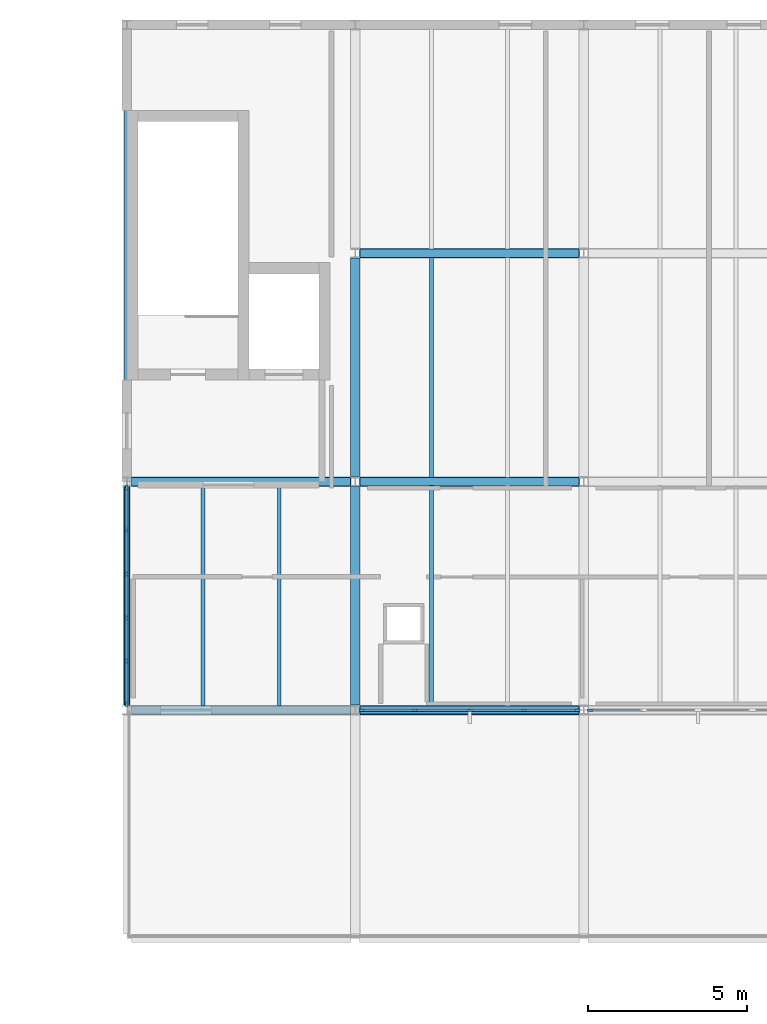
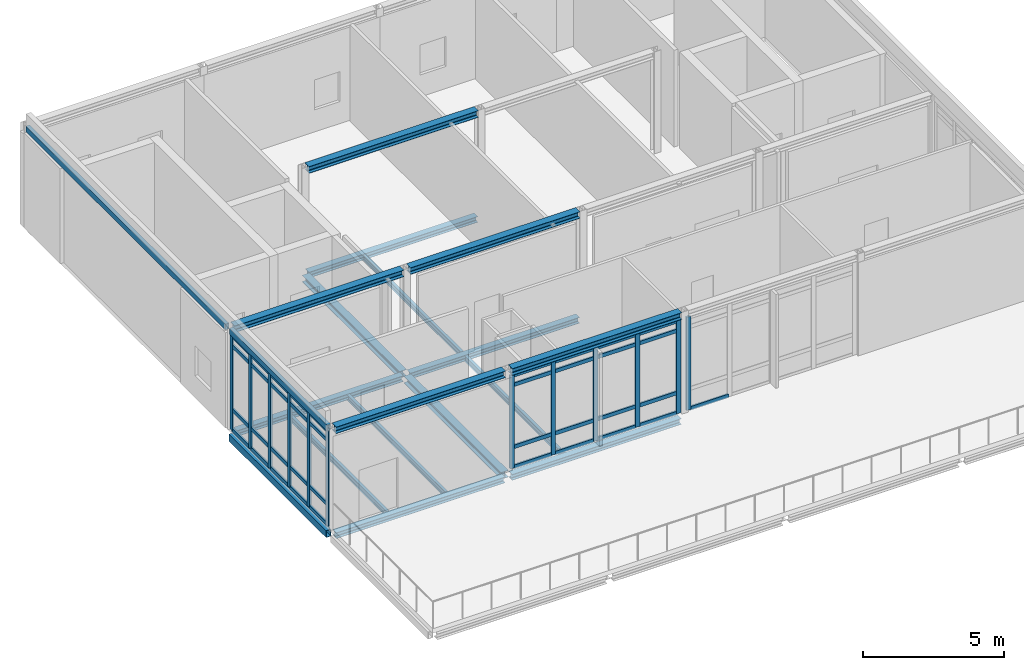
# One storey, part 8 of 21: 49 members, 19 beams, 3 elements without a shape of their own.
"""IFC4 building model written with IfcOpenShell, lengths in metres."""

from ifc_helpers import new_model, si_unit, direction, frame, origin, origin_2d, place, context, subcontext, project, spatial, rectangle, hollow_rectangle, i_section, extrude, material, layer, layer_set, material_profile, profile_set, type_object, element, aggregate, save


model = new_model("IFC4")

# Units and contexts
model_context = context("Model", 3, precision=1e-05, world=origin(), true_north=direction((0.0, 1.0)))
body_context = subcontext(model_context, "Body", "Model", "MODEL_VIEW")
ifc_project = project(units=[si_unit("LENGTHUNIT", "METRE"), si_unit("AREAUNIT", "SQUARE_METRE"), si_unit("VOLUMEUNIT", "CUBIC_METRE"), si_unit("PLANEANGLEUNIT", "RADIAN"), si_unit("MASSUNIT", "GRAM", prefix="KILO")], contexts=[model_context])

# Site, building, storey
site_placement = place(None, origin())
site = spatial("IfcSite", under=ifc_project, at=site_placement, CompositionType="ELEMENT")
building_placement = place(site_placement, origin())
building = spatial("IfcBuilding", under=site, at=building_placement, Name="Zarrinpeak Specialist Clinic", CompositionType="ELEMENT")
storey_placement = place(building_placement, frame((0.0, 0.0, 22.800048828125)))
storey = spatial("IfcBuildingStorey", under=building, at=storey_placement, Name="L05", CompositionType="ELEMENT", Elevation=22.800048828125)

# Beams
ifc_material_1 = material(Name="Steel S355", Category="steel")
ifc_material_profile_1 = material_profile(ifc_material_1, i_section(OverallWidth=0.260009765625, OverallDepth=0.25, WebThickness=0.007568359375, FlangeThickness=0.012451171875, FilletRadius=0.02392578125, at=origin_2d()), Name="HEA 260")
ifc_profile_set_1 = profile_set([ifc_material_profile_1], Name="Steel S355")
beam_type_1 = type_object("IfcBeamType", Name="BM-HEA260", PredefinedType="BEAM", material=ifc_profile_set_1)
for number, where, z_axis, x_axis, name in (
    (1, (36.14794921875, 96.39990234375, -0.320068359375), (1.0, 0.0, 0.0), (0.0, 1.0, 0.0), "L05 Primary Floor Girder BM-L05-X2069"),
    (2, (43.347900390625, 96.39990234375, -0.320068359375), (1.0, 0.0, 0.0), (0.0, 1.0, 0.0), "L05 Primary Floor Girder BM-L05-X2070"),
    (3, (36.14794921875, 103.60009765625, -0.31005859375), (1.0, 0.0, 0.0), (0.0, 1.0, 0.0), "L05 Primary Floor Girder BM-L05-X2073"),
    (4, (43.347900390625, 103.60009765625, -0.31005859375), (1.0, 0.0, 0.0), (0.0, 1.0, 0.0), "L05 Primary Floor Girder BM-L05-X2074"),
    (5, (43.347900390625, 110.800048828125, -0.31005859375), (1.0, 0.0, 0.0), (0.0, 1.0, 0.0), "L05 Primary Floor Girder BM-L05-X2077"),
):
    element("IfcBeam", number, at=place(storey_placement, frame(where, z_axis=z_axis, x_axis=x_axis)), inside=storey, type_object=beam_type_1, Name=name, PredefinedType="BEAM", context=body_context, shape_type="SweptSolid", body=[
        extrude(i_section(OverallWidth=0.260009765625, OverallDepth=0.25, WebThickness=0.007568359375, FlangeThickness=0.012451171875, FilletRadius=0.02392578125, at=origin_2d()), origin(), (0.0, 0.0, 1.0), 6.904052734375),
    ])
ifc_material_profile_2 = material_profile(ifc_material_1, i_section(OverallWidth=0.300048828125, OverallDepth=0.2900390625, WebThickness=0.008544921875, FlangeThickness=0.013916015625, FilletRadius=0.027099609375, at=origin_2d()), Name="HEA 300")
ifc_profile_set_2 = profile_set([ifc_material_profile_2], Name="Steel S355")
beam_type_2 = type_object("IfcBeamType", Name="BM-HEA300", PredefinedType="BEAM", material=ifc_profile_set_2)
beam_1_placement = place(storey_placement, frame((43.199951171875, 96.55810546875, -0.330078125), z_axis=(0.0, 1.0, 0.0), x_axis=(-1.0, 0.0, 0.0)))
element("IfcBeam", 6, at=beam_1_placement, inside=storey, type_object=beam_type_2, Name="L05 Primary Beam BM-L05-Y2115", PredefinedType="BEAM", context=body_context, shape_type="SweptSolid", body=[
    extrude(i_section(OverallWidth=0.300048828125, OverallDepth=0.2900390625, WebThickness=0.008544921875, FlangeThickness=0.013916015625, FilletRadius=0.027099609375, at=origin_2d()), origin(), (0.0, 0.0, 1.0), 6.8837890625),
])
beam_2_placement = place(storey_placement, frame((43.199951171875, 103.758056640625, -0.330078125), z_axis=(0.0, 1.0, 0.0), x_axis=(-1.0, 0.0, 0.0)))
element("IfcBeam", 7, at=beam_2_placement, inside=storey, type_object=beam_type_2, Name="L05 Primary Beam BM-L05-Y2116", PredefinedType="BEAM", context=body_context, shape_type="SweptSolid", body=[
    extrude(i_section(OverallWidth=0.300048828125, OverallDepth=0.2900390625, WebThickness=0.008544921875, FlangeThickness=0.013916015625, FilletRadius=0.027099609375, at=origin_2d()), origin(), (0.0, 0.0, 1.0), 6.884033203125),
])
for number, where, z_axis, x_axis, name in (
    (8, (36.137939453125, 96.39990234375, 4.25), (1.0, 0.0, 0.0), (0.0, 1.0, 0.0), "L05 Gable Eave Tie Girder V6 BM-RF-EAVE-2485"),
    (9, (43.337890625, 96.39990234375, 4.25), (1.0, 0.0, 0.0), (0.0, 1.0, 0.0), "L05 Gable Eave Tie Girder V6 BM-RF-EAVE-2486"),
    (10, (36.137939453125, 103.60009765625, 4.25), (1.0, 0.0, 0.0), (0.0, 1.0, 0.0), "L05 Gable Eave Tie Girder V6 BM-RF-EAVE-2489"),
    (11, (43.337890625, 103.60009765625, 4.25), (1.0, 0.0, 0.0), (0.0, 1.0, 0.0), "L05 Gable Eave Tie Girder V6 BM-RF-EAVE-2490"),
    (12, (43.337890625, 110.800048828125, 4.25), (1.0, 0.0, 0.0), (0.0, 1.0, 0.0), "L05 Gable Eave Tie Girder V6 BM-RF-EAVE-2493"),
):
    element("IfcBeam", number, at=place(storey_placement, frame(where, z_axis=z_axis, x_axis=x_axis)), inside=storey, type_object=beam_type_2, Name=name, PredefinedType="BEAM", context=body_context, shape_type="SweptSolid", body=[
        extrude(i_section(OverallWidth=0.300048828125, OverallDepth=0.2900390625, WebThickness=0.008544921875, FlangeThickness=0.013916015625, FilletRadius=0.027099609375, at=origin_2d()), origin(), (0.0, 0.0, 1.0), 6.924072265625),
    ])
ifc_material_profile_3 = material_profile(ifc_material_1, i_section(OverallWidth=0.1201171875, OverallDepth=0.239990234375, WebThickness=0.006103515625, FlangeThickness=0.009765625, FilletRadius=0.014892578125, at=origin_2d()), Name="IPE 240")
ifc_profile_set_3 = profile_set([ifc_material_profile_3], Name="Steel S355")
beam_type_3 = type_object("IfcBeamType", Name="BM-JST240", PredefinedType="JOIST", material=ifc_profile_set_3)
for number, where, z_axis, x_axis, name in (
    (13, (38.39990234375, 96.528076171875, -0.304931640625), (0.0, 1.0, 0.0), (-1.0, 0.0, 0.0), "L05 Composite Floor Joist JST-L05-2164"),
    (14, (40.800048828125, 96.528076171875, -0.304931640625), (0.0, 1.0, 0.0), (-1.0, 0.0, 0.0), "L05 Composite Floor Joist JST-L05-2165"),
    (15, (45.60009765625, 96.528076171875, -0.304931640625), (0.0, 1.0, 0.0), (-1.0, 0.0, 0.0), "L05 Composite Floor Joist JST-L05-2166"),
):
    element("IfcBeam", number, at=place(storey_placement, frame(where, z_axis=z_axis, x_axis=x_axis)), inside=storey, type_object=beam_type_3, Name=name, PredefinedType="JOIST", context=body_context, shape_type="SweptSolid", body=[
        extrude(i_section(OverallWidth=0.1201171875, OverallDepth=0.239990234375, WebThickness=0.006103515625, FlangeThickness=0.009765625, FilletRadius=0.014892578125, at=origin_2d()), origin(), (0.0, 0.0, 1.0), 6.94384765625),
    ])
beam_3_placement = place(storey_placement, frame((45.60009765625, 103.72802734375, -0.304931640625), z_axis=(0.0, 1.0, 0.0), x_axis=(-1.0, 0.0, 0.0)))
element("IfcBeam", 16, at=beam_3_placement, inside=storey, type_object=beam_type_3, Name="L05 Composite Floor Joist JST-L05-2168", PredefinedType="JOIST", context=body_context, shape_type="SweptSolid", body=[
    extrude(i_section(OverallWidth=0.1201171875, OverallDepth=0.239990234375, WebThickness=0.006103515625, FlangeThickness=0.009765625, FilletRadius=0.014892578125, at=origin_2d()), origin(), (0.0, 0.0, 1.0), 6.944091796875),
])
ifc_material_profile_4 = material_profile(ifc_material_1, hollow_rectangle(XDim=0.14990234375, YDim=0.25, WallThickness=0.010009765625, at=origin_2d()), Name="RHS 250x150x10.0")
ifc_profile_set_4 = profile_set([ifc_material_profile_4], Name="Steel S355")
beam_type_4 = type_object("IfcBeamType", Name="BM-SP250", PredefinedType="SPANDREL", material=ifc_profile_set_4)
beam_4_placement = place(storey_placement, frame((36.0, 96.5380859375, 4.25), z_axis=(0.0, 1.0, 0.0), x_axis=(-1.0, 0.0, 0.0)))
element("IfcBeam", 17, at=beam_4_placement, inside=storey, type_object=beam_type_4, Name="L05 Gable Eave Spandrel Beam V6 BM-RF-SP-2499", PredefinedType="SPANDREL", context=body_context, shape_type="SweptSolid", body=[
    extrude(hollow_rectangle(XDim=0.14990234375, YDim=0.25, WallThickness=0.010009765625, at=origin_2d()), origin(), (0.0, 0.0, 1.0), 6.923828125),
])
beam_5_placement = place(storey_placement, frame((36.0, 103.738037109375, 4.25), z_axis=(0.0, 1.0, 0.0), x_axis=(-1.0, 0.0, 0.0)))
element("IfcBeam", 18, at=beam_5_placement, inside=storey, type_object=beam_type_4, Name="L05 Gable Eave Spandrel Beam V6 BM-RF-SP-2500", PredefinedType="SPANDREL", context=body_context, shape_type="SweptSolid", body=[
    extrude(hollow_rectangle(XDim=0.14990234375, YDim=0.25, WallThickness=0.010009765625, at=origin_2d()), origin(), (0.0, 0.0, 1.0), 14.1240234375),
])
ifc_material_profile_5 = material_profile(ifc_material_1, hollow_rectangle(XDim=0.199951171875, YDim=0.300048828125, WallThickness=0.012451171875, at=origin_2d()), Name="RHS 300x200x12.5")
ifc_profile_set_5 = profile_set([ifc_material_profile_5], Name="Steel S355")
beam_type_5 = type_object("IfcBeamType", Name="BM-SP300", PredefinedType="SPANDREL", material=ifc_profile_set_5)
beam_6_placement = place(storey_placement, frame((36.0, 96.55810546875, -0.3349609375), z_axis=(0.0, 1.0, 0.0), x_axis=(-1.0, 0.0, 0.0)))
element("IfcBeam", 19, at=beam_6_placement, inside=storey, type_object=beam_type_5, Name="L05 Perimeter Spandrel Beam BM-L05-Y2113", PredefinedType="SPANDREL", context=body_context, shape_type="SweptSolid", body=[
    extrude(hollow_rectangle(XDim=0.199951171875, YDim=0.300048828125, WallThickness=0.012451171875, at=origin_2d()), origin(), (0.0, 0.0, 1.0), 6.8837890625),
])

# Curtain wall, members
ifc_material_2 = material(Name="Anodised Aluminium Alloy 6063-T6", Category="aluminium")
ifc_layer_1 = layer(ifc_material_2, 0.179931640625)
ifc_layer_set_1 = layer_set([ifc_layer_1], Name="Anodised Aluminium Alloy 6063-T6")
curtain_wall_type_1 = type_object("IfcCurtainWallType", Name="CW-COURT", PredefinedType="NOTDEFINED", material=ifc_layer_set_1)
curtain_wall_1_placement = place(storey_placement, origin())
curtain_wall_1 = element("IfcCurtainWall", 20, at=curtain_wall_1_placement, inside=storey, type_object=curtain_wall_type_1, Name="L05 V6 Unitised Curtain Wall CW-L05-V6-159", PredefinedType="NOTDEFINED")
ifc_material_profile_6 = material_profile(ifc_material_2, rectangle(XDim=0.074951171875, YDim=0.179931640625, at=origin_2d()), Name="ALU 75x180")
ifc_profile_set_6 = profile_set([ifc_material_profile_6], Name="Anodised Aluminium Alloy 6063-T6")
member_type_1 = type_object("IfcMemberType", Name="CWM-75", PredefinedType="MULLION", material=ifc_profile_set_6)
member_1_placement = place(storey_placement, frame((43.402587890625, 96.39990234375, 0.0), z_axis=(0.0, 0.0, 1.0), x_axis=(0.0, 1.0, 0.0)))
member_1 = element("IfcMember", 21, at=member_1_placement, type_object=member_type_1, Name="CW-01 mullion 1", PredefinedType="MULLION", context=body_context, shape_type="SweptSolid", body=[
    extrude(rectangle(XDim=0.074951171875, YDim=0.179931640625, at=origin_2d()), origin(), (0.0, 0.0, 1.0), 4.034912109375),
])
member_2_placement = place(storey_placement, frame((45.08251953125, 96.39990234375, 0.0), z_axis=(0.0, 0.0, 1.0), x_axis=(0.0, 1.0, 0.0)))
member_2 = element("IfcMember", 22, at=member_2_placement, type_object=member_type_1, Name="CW-01 mullion 2", PredefinedType="MULLION", context=body_context, shape_type="SweptSolid", body=[
    extrude(rectangle(XDim=0.074951171875, YDim=0.179931640625, at=origin_2d()), origin(), (0.0, 0.0, 1.0), 4.034912109375),
])
member_3_placement = place(storey_placement, frame((46.800048828125, 96.39990234375, 0.0), z_axis=(0.0, 0.0, 1.0), x_axis=(0.0, 1.0, 0.0)))
member_3 = element("IfcMember", 23, at=member_3_placement, type_object=member_type_1, Name="CW-01 mullion 3", PredefinedType="MULLION", context=body_context, shape_type="SweptSolid", body=[
    extrude(rectangle(XDim=0.074951171875, YDim=0.179931640625, at=origin_2d()), origin(), (0.0, 0.0, 1.0), 4.034912109375),
])
member_4_placement = place(storey_placement, frame((48.517578125, 96.39990234375, 0.0), z_axis=(0.0, 0.0, 1.0), x_axis=(0.0, 1.0, 0.0)))
member_4 = element("IfcMember", 24, at=member_4_placement, type_object=member_type_1, Name="CW-01 mullion 4", PredefinedType="MULLION", context=body_context, shape_type="SweptSolid", body=[
    extrude(rectangle(XDim=0.074951171875, YDim=0.179931640625, at=origin_2d()), origin(), (0.0, 0.0, 1.0), 4.034912109375),
])
member_5_placement = place(storey_placement, frame((50.197509765625, 96.39990234375, 0.0), z_axis=(0.0, 0.0, 1.0), x_axis=(0.0, 1.0, 0.0)))
member_5 = element("IfcMember", 25, at=member_5_placement, type_object=member_type_1, Name="CW-01 mullion 5", PredefinedType="MULLION", context=body_context, shape_type="SweptSolid", body=[
    extrude(rectangle(XDim=0.074951171875, YDim=0.179931640625, at=origin_2d()), origin(), (0.0, 0.0, 1.0), 4.034912109375),
])

# Curtain wall, member
curtain_wall_2_placement = place(storey_placement, origin())
curtain_wall_2 = element("IfcCurtainWall", 26, at=curtain_wall_2_placement, inside=storey, type_object=curtain_wall_type_1, Name="L05 V6 Unitised Curtain Wall CW-L05-V6-160", PredefinedType="NOTDEFINED")
member_6_placement = place(storey_placement, frame((50.6025390625, 96.39990234375, 0.0), z_axis=(0.0, 0.0, 1.0), x_axis=(0.0, 1.0, 0.0)))
member_6 = element("IfcMember", 27, at=member_6_placement, type_object=member_type_1, Name="CW-01 mullion 1", PredefinedType="MULLION", context=body_context, shape_type="SweptSolid", body=[
    extrude(rectangle(XDim=0.074951171875, YDim=0.179931640625, at=origin_2d()), origin(), (0.0, 0.0, 1.0), 4.034912109375),
])

# Curtain wall, members
ifc_layer_2 = layer(ifc_material_2, 0.1650390625)
ifc_layer_set_2 = layer_set([ifc_layer_2], Name="Anodised Aluminium Alloy 6063-T6")
curtain_wall_type_2 = type_object("IfcCurtainWallType", Name="CW-CLINIC", PredefinedType="NOTDEFINED", material=ifc_layer_set_2)
curtain_wall_3_placement = place(storey_placement, origin())
curtain_wall_3 = element("IfcCurtainWall", 28, at=curtain_wall_3_placement, inside=storey, type_object=curtain_wall_type_2, Name="L05 V6 Unitised Curtain Wall CW-L05-V6-161", PredefinedType="NOTDEFINED")
member_7_placement = place(storey_placement, frame((36.0, 103.3974609375, 0.0), z_axis=(0.0, 0.0, 1.0), x_axis=(1.0, 0.0, 0.0)))
member_7 = element("IfcMember", 29, at=member_7_placement, type_object=member_type_1, Name="CW-03 mullion 1", PredefinedType="MULLION", context=body_context, shape_type="SweptSolid", body=[
    extrude(rectangle(XDim=0.074951171875, YDim=0.179931640625, at=origin_2d()), origin(), (0.0, 0.0, 1.0), 4.10986328125),
])
member_8_placement = place(storey_placement, frame((36.0, 102.06103515625, 0.0), z_axis=(0.0, 0.0, 1.0), x_axis=(1.0, 0.0, 0.0)))
member_8 = element("IfcMember", 30, at=member_8_placement, type_object=member_type_1, Name="CW-03 mullion 2", PredefinedType="MULLION", context=body_context, shape_type="SweptSolid", body=[
    extrude(rectangle(XDim=0.074951171875, YDim=0.179931640625, at=origin_2d()), origin(), (0.0, 0.0, 1.0), 4.10986328125),
])
member_9_placement = place(storey_placement, frame((36.0, 100.68701171875, 0.0), z_axis=(0.0, 0.0, 1.0), x_axis=(1.0, 0.0, 0.0)))
member_9 = element("IfcMember", 31, at=member_9_placement, type_object=member_type_1, Name="CW-03 mullion 3", PredefinedType="MULLION", context=body_context, shape_type="SweptSolid", body=[
    extrude(rectangle(XDim=0.074951171875, YDim=0.179931640625, at=origin_2d()), origin(), (0.0, 0.0, 1.0), 4.10986328125),
])
member_10_placement = place(storey_placement, frame((36.0, 99.31298828125, 0.0), z_axis=(0.0, 0.0, 1.0), x_axis=(1.0, 0.0, 0.0)))
member_10 = element("IfcMember", 32, at=member_10_placement, type_object=member_type_1, Name="CW-03 mullion 4", PredefinedType="MULLION", context=body_context, shape_type="SweptSolid", body=[
    extrude(rectangle(XDim=0.074951171875, YDim=0.179931640625, at=origin_2d()), origin(), (0.0, 0.0, 1.0), 4.10986328125),
])
member_11_placement = place(storey_placement, frame((36.0, 97.93896484375, 0.0), z_axis=(0.0, 0.0, 1.0), x_axis=(1.0, 0.0, 0.0)))
member_11 = element("IfcMember", 33, at=member_11_placement, type_object=member_type_1, Name="CW-03 mullion 5", PredefinedType="MULLION", context=body_context, shape_type="SweptSolid", body=[
    extrude(rectangle(XDim=0.074951171875, YDim=0.179931640625, at=origin_2d()), origin(), (0.0, 0.0, 1.0), 4.10986328125),
])
member_12_placement = place(storey_placement, frame((36.0, 96.6025390625, 0.0), z_axis=(0.0, 0.0, 1.0), x_axis=(1.0, 0.0, 0.0)))
member_12 = element("IfcMember", 34, at=member_12_placement, type_object=member_type_1, Name="CW-03 mullion 6", PredefinedType="MULLION", context=body_context, shape_type="SweptSolid", body=[
    extrude(rectangle(XDim=0.074951171875, YDim=0.179931640625, at=origin_2d()), origin(), (0.0, 0.0, 1.0), 4.10986328125),
])

# Member
ifc_material_profile_7 = material_profile(ifc_material_2, rectangle(XDim=0.074951171875, YDim=0.159912109375, at=origin_2d()), Name="ALU 75x160")
ifc_profile_set_7 = profile_set([ifc_material_profile_7], Name="Anodised Aluminium Alloy 6063-T6")
member_type_2 = type_object("IfcMemberType", Name="CWT-75", PredefinedType="USERDEFINED", material=ifc_profile_set_7)
member_13_placement = place(storey_placement, frame((43.43994140625, 96.39990234375, 0.037353515625), z_axis=(1.0, 0.0, 0.0), x_axis=(0.0, 1.0, 0.0)))
member_13 = element("IfcMember", 35, at=member_13_placement, type_object=member_type_2, Name="CW-01 transom 1.1", ObjectType="TRANSOM", PredefinedType="USERDEFINED", context=body_context, shape_type="SweptSolid", body=[
    extrude(rectangle(XDim=0.074951171875, YDim=0.159912109375, at=origin_2d()), origin(), (0.0, 0.0, 1.0), 1.60498046875),
])

member_14_placement = place(storey_placement, frame((43.43994140625, 96.39990234375, 0.89990234375), z_axis=(1.0, 0.0, 0.0), x_axis=(0.0, 1.0, 0.0)))
member_14 = element("IfcMember", 36, at=member_14_placement, type_object=member_type_2, Name="CW-01 transom 1.2", ObjectType="TRANSOM", PredefinedType="USERDEFINED", context=body_context, shape_type="SweptSolid", body=[
    extrude(rectangle(XDim=0.074951171875, YDim=0.159912109375, at=origin_2d()), origin(), (0.0, 0.0, 1.0), 1.60498046875),
])

member_15_placement = place(storey_placement, frame((43.43994140625, 96.39990234375, 3.5849609375), z_axis=(1.0, 0.0, 0.0), x_axis=(0.0, 1.0, 0.0)))
member_15 = element("IfcMember", 37, at=member_15_placement, type_object=member_type_2, Name="CW-01 transom 1.3", ObjectType="TRANSOM", PredefinedType="USERDEFINED", context=body_context, shape_type="SweptSolid", body=[
    extrude(rectangle(XDim=0.074951171875, YDim=0.159912109375, at=origin_2d()), origin(), (0.0, 0.0, 1.0), 1.60498046875),
])

member_16_placement = place(storey_placement, frame((43.43994140625, 96.39990234375, 3.99755859375), z_axis=(1.0, 0.0, 0.0), x_axis=(0.0, 1.0, 0.0)))
member_16 = element("IfcMember", 38, at=member_16_placement, type_object=member_type_2, Name="CW-01 transom 1.4", ObjectType="TRANSOM", PredefinedType="USERDEFINED", context=body_context, shape_type="SweptSolid", body=[
    extrude(rectangle(XDim=0.074951171875, YDim=0.159912109375, at=origin_2d()), origin(), (0.0, 0.0, 1.0), 1.60498046875),
])

member_17_placement = place(storey_placement, frame((45.1201171875, 96.39990234375, 0.037353515625), z_axis=(1.0, 0.0, 0.0), x_axis=(0.0, 1.0, 0.0)))
member_17 = element("IfcMember", 39, at=member_17_placement, type_object=member_type_2, Name="CW-01 transom 2.1", ObjectType="TRANSOM", PredefinedType="USERDEFINED", context=body_context, shape_type="SweptSolid", body=[
    extrude(rectangle(XDim=0.074951171875, YDim=0.159912109375, at=origin_2d()), origin(), (0.0, 0.0, 1.0), 1.642333984375),
])

member_18_placement = place(storey_placement, frame((45.1201171875, 96.39990234375, 0.89990234375), z_axis=(1.0, 0.0, 0.0), x_axis=(0.0, 1.0, 0.0)))
member_18 = element("IfcMember", 40, at=member_18_placement, type_object=member_type_2, Name="CW-01 transom 2.2", ObjectType="TRANSOM", PredefinedType="USERDEFINED", context=body_context, shape_type="SweptSolid", body=[
    extrude(rectangle(XDim=0.074951171875, YDim=0.159912109375, at=origin_2d()), origin(), (0.0, 0.0, 1.0), 1.642333984375),
])

member_19_placement = place(storey_placement, frame((45.1201171875, 96.39990234375, 3.5849609375), z_axis=(1.0, 0.0, 0.0), x_axis=(0.0, 1.0, 0.0)))
member_19 = element("IfcMember", 41, at=member_19_placement, type_object=member_type_2, Name="CW-01 transom 2.3", ObjectType="TRANSOM", PredefinedType="USERDEFINED", context=body_context, shape_type="SweptSolid", body=[
    extrude(rectangle(XDim=0.074951171875, YDim=0.159912109375, at=origin_2d()), origin(), (0.0, 0.0, 1.0), 1.642333984375),
])

member_20_placement = place(storey_placement, frame((45.1201171875, 96.39990234375, 3.99755859375), z_axis=(1.0, 0.0, 0.0), x_axis=(0.0, 1.0, 0.0)))
member_20 = element("IfcMember", 42, at=member_20_placement, type_object=member_type_2, Name="CW-01 transom 2.4", ObjectType="TRANSOM", PredefinedType="USERDEFINED", context=body_context, shape_type="SweptSolid", body=[
    extrude(rectangle(XDim=0.074951171875, YDim=0.159912109375, at=origin_2d()), origin(), (0.0, 0.0, 1.0), 1.642333984375),
])

member_21_placement = place(storey_placement, frame((46.83740234375, 96.39990234375, 0.037353515625), z_axis=(1.0, 0.0, 0.0), x_axis=(0.0, 1.0, 0.0)))
member_21 = element("IfcMember", 43, at=member_21_placement, type_object=member_type_2, Name="CW-01 transom 3.1", ObjectType="TRANSOM", PredefinedType="USERDEFINED", context=body_context, shape_type="SweptSolid", body=[
    extrude(rectangle(XDim=0.074951171875, YDim=0.159912109375, at=origin_2d()), origin(), (0.0, 0.0, 1.0), 1.642578125),
])

member_22_placement = place(storey_placement, frame((46.83740234375, 96.39990234375, 0.89990234375), z_axis=(1.0, 0.0, 0.0), x_axis=(0.0, 1.0, 0.0)))
member_22 = element("IfcMember", 44, at=member_22_placement, type_object=member_type_2, Name="CW-01 transom 3.2", ObjectType="TRANSOM", PredefinedType="USERDEFINED", context=body_context, shape_type="SweptSolid", body=[
    extrude(rectangle(XDim=0.074951171875, YDim=0.159912109375, at=origin_2d()), origin(), (0.0, 0.0, 1.0), 1.642578125),
])

member_23_placement = place(storey_placement, frame((46.83740234375, 96.39990234375, 3.5849609375), z_axis=(1.0, 0.0, 0.0), x_axis=(0.0, 1.0, 0.0)))
member_23 = element("IfcMember", 45, at=member_23_placement, type_object=member_type_2, Name="CW-01 transom 3.3", ObjectType="TRANSOM", PredefinedType="USERDEFINED", context=body_context, shape_type="SweptSolid", body=[
    extrude(rectangle(XDim=0.074951171875, YDim=0.159912109375, at=origin_2d()), origin(), (0.0, 0.0, 1.0), 1.642578125),
])

member_24_placement = place(storey_placement, frame((46.83740234375, 96.39990234375, 3.99755859375), z_axis=(1.0, 0.0, 0.0), x_axis=(0.0, 1.0, 0.0)))
member_24 = element("IfcMember", 46, at=member_24_placement, type_object=member_type_2, Name="CW-01 transom 3.4", ObjectType="TRANSOM", PredefinedType="USERDEFINED", context=body_context, shape_type="SweptSolid", body=[
    extrude(rectangle(XDim=0.074951171875, YDim=0.159912109375, at=origin_2d()), origin(), (0.0, 0.0, 1.0), 1.642578125),
])

member_25_placement = place(storey_placement, frame((48.554931640625, 96.39990234375, 0.037353515625), z_axis=(1.0, 0.0, 0.0), x_axis=(0.0, 1.0, 0.0)))
member_25 = element("IfcMember", 47, at=member_25_placement, type_object=member_type_2, Name="CW-01 transom 4.1", ObjectType="TRANSOM", PredefinedType="USERDEFINED", context=body_context, shape_type="SweptSolid", body=[
    extrude(rectangle(XDim=0.074951171875, YDim=0.159912109375, at=origin_2d()), origin(), (0.0, 0.0, 1.0), 1.60498046875),
])

member_26_placement = place(storey_placement, frame((48.554931640625, 96.39990234375, 0.89990234375), z_axis=(1.0, 0.0, 0.0), x_axis=(0.0, 1.0, 0.0)))
member_26 = element("IfcMember", 48, at=member_26_placement, type_object=member_type_2, Name="CW-01 transom 4.2", ObjectType="TRANSOM", PredefinedType="USERDEFINED", context=body_context, shape_type="SweptSolid", body=[
    extrude(rectangle(XDim=0.074951171875, YDim=0.159912109375, at=origin_2d()), origin(), (0.0, 0.0, 1.0), 1.60498046875),
])

member_27_placement = place(storey_placement, frame((48.554931640625, 96.39990234375, 3.5849609375), z_axis=(1.0, 0.0, 0.0), x_axis=(0.0, 1.0, 0.0)))
member_27 = element("IfcMember", 49, at=member_27_placement, type_object=member_type_2, Name="CW-01 transom 4.3", ObjectType="TRANSOM", PredefinedType="USERDEFINED", context=body_context, shape_type="SweptSolid", body=[
    extrude(rectangle(XDim=0.074951171875, YDim=0.159912109375, at=origin_2d()), origin(), (0.0, 0.0, 1.0), 1.60498046875),
])

member_28_placement = place(storey_placement, frame((48.554931640625, 96.39990234375, 3.99755859375), z_axis=(1.0, 0.0, 0.0), x_axis=(0.0, 1.0, 0.0)))
member_28 = element("IfcMember", 50, at=member_28_placement, type_object=member_type_2, Name="CW-01 transom 4.4", ObjectType="TRANSOM", PredefinedType="USERDEFINED", context=body_context, shape_type="SweptSolid", body=[
    extrude(rectangle(XDim=0.074951171875, YDim=0.159912109375, at=origin_2d()), origin(), (0.0, 0.0, 1.0), 1.60498046875),
])

aggregate(curtain_wall_1, [member_1, member_2, member_3, member_4, member_5, member_13, member_14, member_15, member_16, member_17, member_18, member_19, member_20, member_21, member_22, member_23, member_24, member_25, member_26, member_27, member_28])

member_29_placement = place(storey_placement, frame((50.639892578125, 96.39990234375, 0.037353515625), z_axis=(1.0, 0.0, 0.0), x_axis=(0.0, 1.0, 0.0)))
member_29 = element("IfcMember", 51, at=member_29_placement, type_object=member_type_2, Name="CW-01 transom 1.1", ObjectType="TRANSOM", PredefinedType="USERDEFINED", context=body_context, shape_type="SweptSolid", body=[
    extrude(rectangle(XDim=0.074951171875, YDim=0.159912109375, at=origin_2d()), origin(), (0.0, 0.0, 1.0), 1.605224609375),
])

aggregate(curtain_wall_2, [member_6, member_29])

member_30_placement = place(storey_placement, frame((36.0, 103.360107421875, 0.037353515625), z_axis=(0.0, -1.0, 0.0), x_axis=(1.0, 0.0, 0.0)))
member_30 = element("IfcMember", 52, at=member_30_placement, type_object=member_type_2, Name="CW-03 transom 1.1", ObjectType="TRANSOM", PredefinedType="USERDEFINED", context=body_context, shape_type="SweptSolid", body=[
    extrude(rectangle(XDim=0.074951171875, YDim=0.159912109375, at=origin_2d()), origin(), (0.0, 0.0, 1.0), 1.26171875),
])

member_31_placement = place(storey_placement, frame((36.0, 103.360107421875, 0.89990234375), z_axis=(0.0, -1.0, 0.0), x_axis=(1.0, 0.0, 0.0)))
member_31 = element("IfcMember", 53, at=member_31_placement, type_object=member_type_2, Name="CW-03 transom 1.2", ObjectType="TRANSOM", PredefinedType="USERDEFINED", context=body_context, shape_type="SweptSolid", body=[
    extrude(rectangle(XDim=0.074951171875, YDim=0.159912109375, at=origin_2d()), origin(), (0.0, 0.0, 1.0), 1.26171875),
])

member_32_placement = place(storey_placement, frame((36.0, 103.360107421875, 3.659912109375), z_axis=(0.0, -1.0, 0.0), x_axis=(1.0, 0.0, 0.0)))
member_32 = element("IfcMember", 54, at=member_32_placement, type_object=member_type_2, Name="CW-03 transom 1.3", ObjectType="TRANSOM", PredefinedType="USERDEFINED", context=body_context, shape_type="SweptSolid", body=[
    extrude(rectangle(XDim=0.074951171875, YDim=0.159912109375, at=origin_2d()), origin(), (0.0, 0.0, 1.0), 1.26171875),
])

member_33_placement = place(storey_placement, frame((36.0, 103.360107421875, 4.072509765625), z_axis=(0.0, -1.0, 0.0), x_axis=(1.0, 0.0, 0.0)))
member_33 = element("IfcMember", 55, at=member_33_placement, type_object=member_type_2, Name="CW-03 transom 1.4", ObjectType="TRANSOM", PredefinedType="USERDEFINED", context=body_context, shape_type="SweptSolid", body=[
    extrude(rectangle(XDim=0.074951171875, YDim=0.159912109375, at=origin_2d()), origin(), (0.0, 0.0, 1.0), 1.26171875),
])

member_34_placement = place(storey_placement, frame((36.0, 102.0234375, 0.037353515625), z_axis=(0.0, -1.0, 0.0), x_axis=(1.0, 0.0, 0.0)))
member_34 = element("IfcMember", 56, at=member_34_placement, type_object=member_type_2, Name="CW-03 transom 2.1", ObjectType="TRANSOM", PredefinedType="USERDEFINED", context=body_context, shape_type="SweptSolid", body=[
    extrude(rectangle(XDim=0.074951171875, YDim=0.159912109375, at=origin_2d()), origin(), (0.0, 0.0, 1.0), 1.298828125),
])

member_35_placement = place(storey_placement, frame((36.0, 102.0234375, 0.89990234375), z_axis=(0.0, -1.0, 0.0), x_axis=(1.0, 0.0, 0.0)))
member_35 = element("IfcMember", 57, at=member_35_placement, type_object=member_type_2, Name="CW-03 transom 2.2", ObjectType="TRANSOM", PredefinedType="USERDEFINED", context=body_context, shape_type="SweptSolid", body=[
    extrude(rectangle(XDim=0.074951171875, YDim=0.159912109375, at=origin_2d()), origin(), (0.0, 0.0, 1.0), 1.298828125),
])

member_36_placement = place(storey_placement, frame((36.0, 102.0234375, 3.659912109375), z_axis=(0.0, -1.0, 0.0), x_axis=(1.0, 0.0, 0.0)))
member_36 = element("IfcMember", 58, at=member_36_placement, type_object=member_type_2, Name="CW-03 transom 2.3", ObjectType="TRANSOM", PredefinedType="USERDEFINED", context=body_context, shape_type="SweptSolid", body=[
    extrude(rectangle(XDim=0.074951171875, YDim=0.159912109375, at=origin_2d()), origin(), (0.0, 0.0, 1.0), 1.298828125),
])

member_37_placement = place(storey_placement, frame((36.0, 102.0234375, 4.072509765625), z_axis=(0.0, -1.0, 0.0), x_axis=(1.0, 0.0, 0.0)))
member_37 = element("IfcMember", 59, at=member_37_placement, type_object=member_type_2, Name="CW-03 transom 2.4", ObjectType="TRANSOM", PredefinedType="USERDEFINED", context=body_context, shape_type="SweptSolid", body=[
    extrude(rectangle(XDim=0.074951171875, YDim=0.159912109375, at=origin_2d()), origin(), (0.0, 0.0, 1.0), 1.298828125),
])

member_38_placement = place(storey_placement, frame((36.0, 100.6494140625, 0.037353515625), z_axis=(0.0, -1.0, 0.0), x_axis=(1.0, 0.0, 0.0)))
member_38 = element("IfcMember", 60, at=member_38_placement, type_object=member_type_2, Name="CW-03 transom 3.1", ObjectType="TRANSOM", PredefinedType="USERDEFINED", context=body_context, shape_type="SweptSolid", body=[
    extrude(rectangle(XDim=0.074951171875, YDim=0.159912109375, at=origin_2d()), origin(), (0.0, 0.0, 1.0), 1.298828125),
])

member_39_placement = place(storey_placement, frame((36.0, 100.6494140625, 0.89990234375), z_axis=(0.0, -1.0, 0.0), x_axis=(1.0, 0.0, 0.0)))
member_39 = element("IfcMember", 61, at=member_39_placement, type_object=member_type_2, Name="CW-03 transom 3.2", ObjectType="TRANSOM", PredefinedType="USERDEFINED", context=body_context, shape_type="SweptSolid", body=[
    extrude(rectangle(XDim=0.074951171875, YDim=0.159912109375, at=origin_2d()), origin(), (0.0, 0.0, 1.0), 1.298828125),
])

member_40_placement = place(storey_placement, frame((36.0, 100.6494140625, 3.659912109375), z_axis=(0.0, -1.0, 0.0), x_axis=(1.0, 0.0, 0.0)))
member_40 = element("IfcMember", 62, at=member_40_placement, type_object=member_type_2, Name="CW-03 transom 3.3", ObjectType="TRANSOM", PredefinedType="USERDEFINED", context=body_context, shape_type="SweptSolid", body=[
    extrude(rectangle(XDim=0.074951171875, YDim=0.159912109375, at=origin_2d()), origin(), (0.0, 0.0, 1.0), 1.298828125),
])

member_41_placement = place(storey_placement, frame((36.0, 100.6494140625, 4.072509765625), z_axis=(0.0, -1.0, 0.0), x_axis=(1.0, 0.0, 0.0)))
member_41 = element("IfcMember", 63, at=member_41_placement, type_object=member_type_2, Name="CW-03 transom 3.4", ObjectType="TRANSOM", PredefinedType="USERDEFINED", context=body_context, shape_type="SweptSolid", body=[
    extrude(rectangle(XDim=0.074951171875, YDim=0.159912109375, at=origin_2d()), origin(), (0.0, 0.0, 1.0), 1.298828125),
])

member_42_placement = place(storey_placement, frame((36.0, 99.275390625, 0.037353515625), z_axis=(0.0, -1.0, 0.0), x_axis=(1.0, 0.0, 0.0)))
member_42 = element("IfcMember", 64, at=member_42_placement, type_object=member_type_2, Name="CW-03 transom 4.1", ObjectType="TRANSOM", PredefinedType="USERDEFINED", context=body_context, shape_type="SweptSolid", body=[
    extrude(rectangle(XDim=0.074951171875, YDim=0.159912109375, at=origin_2d()), origin(), (0.0, 0.0, 1.0), 1.298828125),
])

member_43_placement = place(storey_placement, frame((36.0, 99.275390625, 0.89990234375), z_axis=(0.0, -1.0, 0.0), x_axis=(1.0, 0.0, 0.0)))
member_43 = element("IfcMember", 65, at=member_43_placement, type_object=member_type_2, Name="CW-03 transom 4.2", ObjectType="TRANSOM", PredefinedType="USERDEFINED", context=body_context, shape_type="SweptSolid", body=[
    extrude(rectangle(XDim=0.074951171875, YDim=0.159912109375, at=origin_2d()), origin(), (0.0, 0.0, 1.0), 1.298828125),
])

member_44_placement = place(storey_placement, frame((36.0, 99.275390625, 3.659912109375), z_axis=(0.0, -1.0, 0.0), x_axis=(1.0, 0.0, 0.0)))
member_44 = element("IfcMember", 66, at=member_44_placement, type_object=member_type_2, Name="CW-03 transom 4.3", ObjectType="TRANSOM", PredefinedType="USERDEFINED", context=body_context, shape_type="SweptSolid", body=[
    extrude(rectangle(XDim=0.074951171875, YDim=0.159912109375, at=origin_2d()), origin(), (0.0, 0.0, 1.0), 1.298828125),
])

member_45_placement = place(storey_placement, frame((36.0, 99.275390625, 4.072509765625), z_axis=(0.0, -1.0, 0.0), x_axis=(1.0, 0.0, 0.0)))
member_45 = element("IfcMember", 67, at=member_45_placement, type_object=member_type_2, Name="CW-03 transom 4.4", ObjectType="TRANSOM", PredefinedType="USERDEFINED", context=body_context, shape_type="SweptSolid", body=[
    extrude(rectangle(XDim=0.074951171875, YDim=0.159912109375, at=origin_2d()), origin(), (0.0, 0.0, 1.0), 1.298828125),
])

member_46_placement = place(storey_placement, frame((36.0, 97.901611328125, 0.037353515625), z_axis=(0.0, -1.0, 0.0), x_axis=(1.0, 0.0, 0.0)))
member_46 = element("IfcMember", 68, at=member_46_placement, type_object=member_type_2, Name="CW-03 transom 5.1", ObjectType="TRANSOM", PredefinedType="USERDEFINED", context=body_context, shape_type="SweptSolid", body=[
    extrude(rectangle(XDim=0.074951171875, YDim=0.159912109375, at=origin_2d()), origin(), (0.0, 0.0, 1.0), 1.26171875),
])

member_47_placement = place(storey_placement, frame((36.0, 97.901611328125, 0.89990234375), z_axis=(0.0, -1.0, 0.0), x_axis=(1.0, 0.0, 0.0)))
member_47 = element("IfcMember", 69, at=member_47_placement, type_object=member_type_2, Name="CW-03 transom 5.2", ObjectType="TRANSOM", PredefinedType="USERDEFINED", context=body_context, shape_type="SweptSolid", body=[
    extrude(rectangle(XDim=0.074951171875, YDim=0.159912109375, at=origin_2d()), origin(), (0.0, 0.0, 1.0), 1.26171875),
])

member_48_placement = place(storey_placement, frame((36.0, 97.901611328125, 3.659912109375), z_axis=(0.0, -1.0, 0.0), x_axis=(1.0, 0.0, 0.0)))
member_48 = element("IfcMember", 70, at=member_48_placement, type_object=member_type_2, Name="CW-03 transom 5.3", ObjectType="TRANSOM", PredefinedType="USERDEFINED", context=body_context, shape_type="SweptSolid", body=[
    extrude(rectangle(XDim=0.074951171875, YDim=0.159912109375, at=origin_2d()), origin(), (0.0, 0.0, 1.0), 1.26171875),
])

member_49_placement = place(storey_placement, frame((36.0, 97.901611328125, 4.072509765625), z_axis=(0.0, -1.0, 0.0), x_axis=(1.0, 0.0, 0.0)))
member_49 = element("IfcMember", 71, at=member_49_placement, type_object=member_type_2, Name="CW-03 transom 5.4", ObjectType="TRANSOM", PredefinedType="USERDEFINED", context=body_context, shape_type="SweptSolid", body=[
    extrude(rectangle(XDim=0.074951171875, YDim=0.159912109375, at=origin_2d()), origin(), (0.0, 0.0, 1.0), 1.26171875),
])

aggregate(curtain_wall_3, [member_7, member_8, member_9, member_10, member_11, member_12, member_30, member_31, member_32, member_33, member_34, member_35, member_36, member_37, member_38, member_39, member_40, member_41, member_42, member_43, member_44, member_45, member_46, member_47, member_48, member_49])

save(model, "model.ifc")
